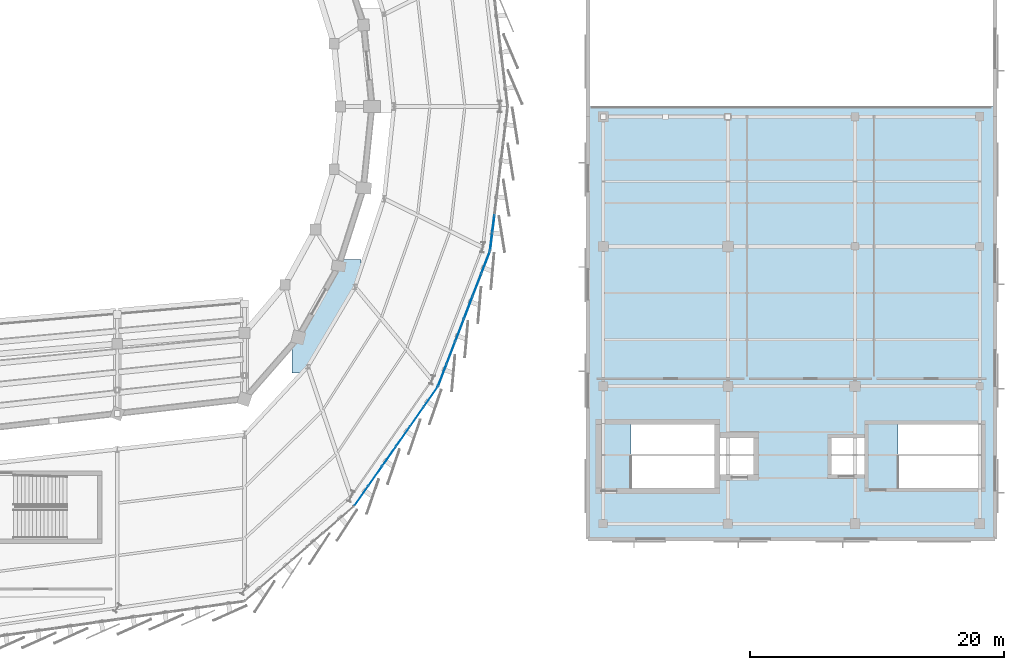
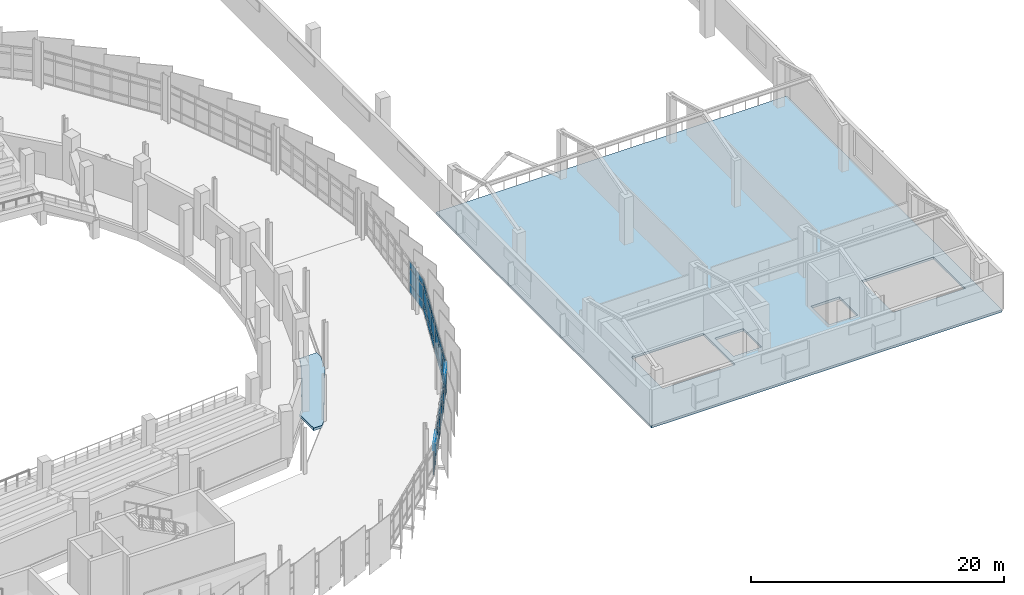
# One storey, part 89 of 120: 42 plates, 2 slabs, 3 elements without a shape of their own.
"""IFC4 building model written with IfcOpenShell, lengths in metres."""

from ifc_helpers import new_model, si_unit, direction, frame, origin, origin_2d, place, context, subcontext, project, spatial, polyline, rectangle, outline, extrude, material, layer, layer_set, type_object, element, aggregate, save


model = new_model("IFC4")

# Units and contexts
model_context = context("Model", 3, precision=1e-05, world=origin(), true_north=direction((0.0, 1.0)))
body_context = subcontext(model_context, "Body", "Model", "MODEL_VIEW")
ifc_project = project(units=[si_unit("LENGTHUNIT", "METRE"), si_unit("AREAUNIT", "SQUARE_METRE"), si_unit("VOLUMEUNIT", "CUBIC_METRE"), si_unit("PLANEANGLEUNIT", "RADIAN"), si_unit("MASSUNIT", "GRAM", prefix="KILO")], contexts=[model_context])

# Site, building, storey
site_placement = place(None, origin())
site = spatial("IfcSite", under=ifc_project, at=site_placement, CompositionType="ELEMENT")
building_placement = place(site_placement, origin())
building = spatial("IfcBuilding", under=site, at=building_placement, Name="Sohan Crest Arena", CompositionType="ELEMENT")
storey_placement = place(building_placement, frame((0.0, 0.0, 13.5)))
storey = spatial("IfcBuildingStorey", under=building, at=storey_placement, Name="L03", CompositionType="ELEMENT", Elevation=13.5)

# Curtain wall, plates
ifc_material_1 = material(Name="Thermally broken anodised aluminium", Category="aluminium")
ifc_layer_1 = layer(ifc_material_1, 0.219970703125, Name="Thermally broken anodised aluminium")
ifc_layer_set_1 = layer_set([ifc_layer_1], Name="Thermally broken anodised aluminium")
curtain_wall_type_1 = type_object("IfcCurtainWallType", Name="ARC-CW03", PredefinedType="NOTDEFINED", material=ifc_layer_set_1)
curtain_wall_1_placement = place(storey_placement, origin())
curtain_wall_1 = element("IfcCurtainWall", 1, at=curtain_wall_1_placement, inside=storey, type_object=curtain_wall_type_1, Name="Unitised curtain wall CW-098", PredefinedType="NOTDEFINED")
ifc_material_2 = material(Name="Low-E double-glazed insulated glass", Category="glass")
ifc_layer_2 = layer(ifc_material_2, 0.028076171875, Name="Low-E double-glazed insulated glass")
ifc_layer_set_2 = layer_set([ifc_layer_2], Name="Low-E double-glazed insulated glass")
plate_type_1 = type_object("IfcPlateType", Name="ARC-CNP01", PredefinedType="CURTAIN_PANEL", material=ifc_layer_set_2)
plate_1_placement = place(storey_placement, frame((177.193603515625, 47.392822265625, 0.070068359375), z_axis=(0.0, 0.0, 1.0), x_axis=(0.573937504976, 0.818899102687, 0.0)))
plate_1 = element("IfcPlate", 2, at=plate_1_placement, type_object=plate_type_1, Name="CW-098 panel 1.1", PredefinedType="CURTAIN_PANEL", context=body_context, shape_type="SweptSolid", body=[
    extrude(rectangle(XDim=1.81640625, YDim=0.028076171875, at=origin_2d()), origin(), (0.0, 0.0, 1.0), 0.794921875),
])
plate_2_placement = place(storey_placement, frame((177.193603515625, 47.392822265625, 0.93505859375), z_axis=(0.0, 0.0, 1.0), x_axis=(0.573937504976, 0.818899102687, 0.0)))
plate_2 = element("IfcPlate", 3, at=plate_2_placement, type_object=plate_type_1, Name="CW-098 panel 1.2", PredefinedType="CURTAIN_PANEL", context=body_context, shape_type="SweptSolid", body=[
    extrude(rectangle(XDim=1.81640625, YDim=0.028076171875, at=origin_2d()), origin(), (0.0, 0.0, 1.0), 1.449951171875),
])
plate_3_placement = place(storey_placement, frame((177.193603515625, 47.392822265625, 2.455078125), z_axis=(0.0, 0.0, 1.0), x_axis=(0.573937504976, 0.818899102687, 0.0)))
plate_3 = element("IfcPlate", 4, at=plate_3_placement, type_object=plate_type_1, Name="CW-098 panel 1.3", PredefinedType="CURTAIN_PANEL", context=body_context, shape_type="SweptSolid", body=[
    extrude(rectangle(XDim=1.81640625, YDim=0.028076171875, at=origin_2d()), origin(), (0.0, 0.0, 1.0), 0.594970703125),
])
plate_4_placement = place(storey_placement, frame((178.279296875, 48.941650390625, 0.070068359375), z_axis=(0.0, 0.0, 1.0), x_axis=(0.573937504976, 0.818899102687, 0.0)))
plate_4 = element("IfcPlate", 5, at=plate_4_placement, type_object=plate_type_1, Name="CW-098 panel 2.1", PredefinedType="CURTAIN_PANEL", context=body_context, shape_type="SweptSolid", body=[
    extrude(rectangle(XDim=1.846435546875, YDim=0.028076171875, at=origin_2d()), origin(), (0.0, 0.0, 1.0), 0.794921875),
])
plate_5_placement = place(storey_placement, frame((178.279296875, 48.941650390625, 0.93505859375), z_axis=(0.0, 0.0, 1.0), x_axis=(0.573937504976, 0.818899102687, 0.0)))
plate_5 = element("IfcPlate", 6, at=plate_5_placement, type_object=plate_type_1, Name="CW-098 panel 2.2", PredefinedType="CURTAIN_PANEL", context=body_context, shape_type="SweptSolid", body=[
    extrude(rectangle(XDim=1.846435546875, YDim=0.028076171875, at=origin_2d()), origin(), (0.0, 0.0, 1.0), 1.449951171875),
])
plate_6_placement = place(storey_placement, frame((178.279296875, 48.941650390625, 2.455078125), z_axis=(0.0, 0.0, 1.0), x_axis=(0.573937504976, 0.818899102687, 0.0)))
plate_6 = element("IfcPlate", 7, at=plate_6_placement, type_object=plate_type_1, Name="CW-098 panel 2.3", PredefinedType="CURTAIN_PANEL", context=body_context, shape_type="SweptSolid", body=[
    extrude(rectangle(XDim=1.846435546875, YDim=0.028076171875, at=origin_2d()), origin(), (0.0, 0.0, 1.0), 0.594970703125),
])
plate_7_placement = place(storey_placement, frame((179.37353515625, 50.5029296875, 0.070068359375), z_axis=(0.0, 0.0, 1.0), x_axis=(0.573937504976, 0.818899102687, 0.0)))
plate_7 = element("IfcPlate", 8, at=plate_7_placement, type_object=plate_type_1, Name="CW-098 panel 3.1", PredefinedType="CURTAIN_PANEL", context=body_context, shape_type="SweptSolid", body=[
    extrude(rectangle(XDim=1.846435546875, YDim=0.028076171875, at=origin_2d()), origin(), (0.0, 0.0, 1.0), 0.794921875),
])
plate_8_placement = place(storey_placement, frame((179.37353515625, 50.5029296875, 0.93505859375), z_axis=(0.0, 0.0, 1.0), x_axis=(0.573937504976, 0.818899102687, 0.0)))
plate_8 = element("IfcPlate", 9, at=plate_8_placement, type_object=plate_type_1, Name="CW-098 panel 3.2", PredefinedType="CURTAIN_PANEL", context=body_context, shape_type="SweptSolid", body=[
    extrude(rectangle(XDim=1.846435546875, YDim=0.028076171875, at=origin_2d()), origin(), (0.0, 0.0, 1.0), 1.449951171875),
])
plate_9_placement = place(storey_placement, frame((179.37353515625, 50.5029296875, 2.455078125), z_axis=(0.0, 0.0, 1.0), x_axis=(0.573937504976, 0.818899102687, 0.0)))
plate_9 = element("IfcPlate", 10, at=plate_9_placement, type_object=plate_type_1, Name="CW-098 panel 3.3", PredefinedType="CURTAIN_PANEL", context=body_context, shape_type="SweptSolid", body=[
    extrude(rectangle(XDim=1.846435546875, YDim=0.028076171875, at=origin_2d()), origin(), (0.0, 0.0, 1.0), 0.594970703125),
])
plate_10_placement = place(storey_placement, frame((180.467529296875, 52.06396484375, 0.070068359375), z_axis=(0.0, 0.0, 1.0), x_axis=(0.573937504976, 0.818899102687, 0.0)))
plate_10 = element("IfcPlate", 11, at=plate_10_placement, type_object=plate_type_1, Name="CW-098 panel 4.1", PredefinedType="CURTAIN_PANEL", context=body_context, shape_type="SweptSolid", body=[
    extrude(rectangle(XDim=1.846435546875, YDim=0.028076171875, at=origin_2d()), origin(), (0.0, 0.0, 1.0), 0.794921875),
])
plate_11_placement = place(storey_placement, frame((180.467529296875, 52.06396484375, 0.93505859375), z_axis=(0.0, 0.0, 1.0), x_axis=(0.573937504976, 0.818899102687, 0.0)))
plate_11 = element("IfcPlate", 12, at=plate_11_placement, type_object=plate_type_1, Name="CW-098 panel 4.2", PredefinedType="CURTAIN_PANEL", context=body_context, shape_type="SweptSolid", body=[
    extrude(rectangle(XDim=1.846435546875, YDim=0.028076171875, at=origin_2d()), origin(), (0.0, 0.0, 1.0), 1.449951171875),
])
plate_12_placement = place(storey_placement, frame((180.467529296875, 52.06396484375, 2.455078125), z_axis=(0.0, 0.0, 1.0), x_axis=(0.573937504976, 0.818899102687, 0.0)))
plate_12 = element("IfcPlate", 13, at=plate_12_placement, type_object=plate_type_1, Name="CW-098 panel 4.3", PredefinedType="CURTAIN_PANEL", context=body_context, shape_type="SweptSolid", body=[
    extrude(rectangle(XDim=1.846435546875, YDim=0.028076171875, at=origin_2d()), origin(), (0.0, 0.0, 1.0), 0.594970703125),
])
plate_13_placement = place(storey_placement, frame((181.561767578125, 53.625244140625, 0.070068359375), z_axis=(0.0, 0.0, 1.0), x_axis=(0.573937504976, 0.818899102687, 0.0)))
plate_13 = element("IfcPlate", 14, at=plate_13_placement, type_object=plate_type_1, Name="CW-098 panel 5.1", PredefinedType="CURTAIN_PANEL", context=body_context, shape_type="SweptSolid", body=[
    extrude(rectangle(XDim=1.846435546875, YDim=0.028076171875, at=origin_2d()), origin(), (0.0, 0.0, 1.0), 0.794921875),
])
plate_14_placement = place(storey_placement, frame((181.561767578125, 53.625244140625, 0.93505859375), z_axis=(0.0, 0.0, 1.0), x_axis=(0.573937504976, 0.818899102687, 0.0)))
plate_14 = element("IfcPlate", 15, at=plate_14_placement, type_object=plate_type_1, Name="CW-098 panel 5.2", PredefinedType="CURTAIN_PANEL", context=body_context, shape_type="SweptSolid", body=[
    extrude(rectangle(XDim=1.846435546875, YDim=0.028076171875, at=origin_2d()), origin(), (0.0, 0.0, 1.0), 1.449951171875),
])
plate_15_placement = place(storey_placement, frame((181.561767578125, 53.625244140625, 2.455078125), z_axis=(0.0, 0.0, 1.0), x_axis=(0.573937504976, 0.818899102687, 0.0)))
plate_15 = element("IfcPlate", 16, at=plate_15_placement, type_object=plate_type_1, Name="CW-098 panel 5.3", PredefinedType="CURTAIN_PANEL", context=body_context, shape_type="SweptSolid", body=[
    extrude(rectangle(XDim=1.846435546875, YDim=0.028076171875, at=origin_2d()), origin(), (0.0, 0.0, 1.0), 0.594970703125),
])
plate_16_placement = place(storey_placement, frame((182.647216796875, 55.174072265625, 0.070068359375), z_axis=(0.0, 0.0, 1.0), x_axis=(0.573937504976, 0.818899102687, 0.0)))
plate_16 = element("IfcPlate", 17, at=plate_16_placement, type_object=plate_type_1, Name="CW-098 panel 6.1", PredefinedType="CURTAIN_PANEL", context=body_context, shape_type="SweptSolid", body=[
    extrude(rectangle(XDim=1.81640625, YDim=0.028076171875, at=origin_2d()), origin(), (0.0, 0.0, 1.0), 0.794921875),
])
plate_17_placement = place(storey_placement, frame((182.647216796875, 55.174072265625, 0.93505859375), z_axis=(0.0, 0.0, 1.0), x_axis=(0.573937504976, 0.818899102687, 0.0)))
plate_17 = element("IfcPlate", 18, at=plate_17_placement, type_object=plate_type_1, Name="CW-098 panel 6.2", PredefinedType="CURTAIN_PANEL", context=body_context, shape_type="SweptSolid", body=[
    extrude(rectangle(XDim=1.81640625, YDim=0.028076171875, at=origin_2d()), origin(), (0.0, 0.0, 1.0), 1.449951171875),
])
plate_18_placement = place(storey_placement, frame((182.647216796875, 55.174072265625, 2.455078125), z_axis=(0.0, 0.0, 1.0), x_axis=(0.573937504976, 0.818899102687, 0.0)))
plate_18 = element("IfcPlate", 19, at=plate_18_placement, type_object=plate_type_1, Name="CW-098 panel 6.3", PredefinedType="CURTAIN_PANEL", context=body_context, shape_type="SweptSolid", body=[
    extrude(rectangle(XDim=1.81640625, YDim=0.028076171875, at=origin_2d()), origin(), (0.0, 0.0, 1.0), 0.594970703125),
])
aggregate(curtain_wall_1, [plate_1, plate_2, plate_3, plate_4, plate_5, plate_6, plate_7, plate_8, plate_9, plate_10, plate_11, plate_12, plate_13, plate_14, plate_15, plate_16, plate_17, plate_18])

ifc_layer_3 = layer(ifc_material_1, 0.239990234375, Name="Thermally broken anodised aluminium")
ifc_layer_set_3 = layer_set([ifc_layer_3], Name="Thermally broken anodised aluminium")
curtain_wall_type_2 = type_object("IfcCurtainWallType", Name="ARC-CW04", PredefinedType="NOTDEFINED", material=ifc_layer_set_3)
curtain_wall_2_placement = place(storey_placement, origin())
curtain_wall_2 = element("IfcCurtainWall", 20, at=curtain_wall_2_placement, inside=storey, type_object=curtain_wall_type_2, Name="Unitised curtain wall CW-099", PredefinedType="NOTDEFINED")
ifc_layer_4 = layer(ifc_material_2, 0.031982421875, Name="Low-E double-glazed insulated glass")
ifc_layer_set_4 = layer_set([ifc_layer_4], Name="Low-E double-glazed insulated glass")
plate_type_2 = type_object("IfcPlateType", Name="ARC-CNP02", PredefinedType="CURTAIN_PANEL", material=ifc_layer_set_4)
plate_19_placement = place(storey_placement, frame((183.55078125, 56.8720703125, 0.06005859375), z_axis=(0.0, 0.0, 1.0), x_axis=(0.35865103722, 0.93347171007, 0.0)))
plate_19 = element("IfcPlate", 21, at=plate_19_placement, type_object=plate_type_2, Name="CW-099 panel 1.1", PredefinedType="CURTAIN_PANEL", context=body_context, shape_type="SweptSolid", body=[
    extrude(rectangle(XDim=1.80908203125, YDim=0.031982421875, at=origin_2d()), origin(), (0.0, 0.0, 1.0), 0.81005859375),
])
plate_20_placement = place(storey_placement, frame((183.55078125, 56.8720703125, 0.929931640625), z_axis=(0.0, 0.0, 1.0), x_axis=(0.35865103722, 0.93347171007, 0.0)))
plate_20 = element("IfcPlate", 22, at=plate_20_placement, type_object=plate_type_2, Name="CW-099 panel 1.2", PredefinedType="CURTAIN_PANEL", context=body_context, shape_type="SweptSolid", body=[
    extrude(rectangle(XDim=1.80908203125, YDim=0.031982421875, at=origin_2d()), origin(), (0.0, 0.0, 1.0), 1.4599609375),
])
plate_21_placement = place(storey_placement, frame((183.55078125, 56.8720703125, 2.44970703125), z_axis=(0.0, 0.0, 1.0), x_axis=(0.35865103722, 0.93347171007, 0.0)))
plate_21 = element("IfcPlate", 23, at=plate_21_placement, type_object=plate_type_2, Name="CW-099 panel 1.3", PredefinedType="CURTAIN_PANEL", context=body_context, shape_type="SweptSolid", body=[
    extrude(rectangle(XDim=1.80908203125, YDim=0.031982421875, at=origin_2d()), origin(), (0.0, 0.0, 1.0), 0.610107421875),
])
plate_22_placement = place(storey_placement, frame((184.228759765625, 58.63671875, 0.06005859375), z_axis=(0.0, 0.0, 1.0), x_axis=(0.35865103722, 0.93347171007, 0.0)))
plate_22 = element("IfcPlate", 24, at=plate_22_placement, type_object=plate_type_2, Name="CW-099 panel 2.1", PredefinedType="CURTAIN_PANEL", context=body_context, shape_type="SweptSolid", body=[
    extrude(rectangle(XDim=1.841796875, YDim=0.031982421875, at=origin_2d()), origin(), (0.0, 0.0, 1.0), 0.81005859375),
])
plate_23_placement = place(storey_placement, frame((184.228759765625, 58.63671875, 0.929931640625), z_axis=(0.0, 0.0, 1.0), x_axis=(0.35865103722, 0.93347171007, 0.0)))
plate_23 = element("IfcPlate", 25, at=plate_23_placement, type_object=plate_type_2, Name="CW-099 panel 2.2", PredefinedType="CURTAIN_PANEL", context=body_context, shape_type="SweptSolid", body=[
    extrude(rectangle(XDim=1.841796875, YDim=0.031982421875, at=origin_2d()), origin(), (0.0, 0.0, 1.0), 1.4599609375),
])
plate_24_placement = place(storey_placement, frame((184.228759765625, 58.63671875, 2.44970703125), z_axis=(0.0, 0.0, 1.0), x_axis=(0.35865103722, 0.93347171007, 0.0)))
plate_24 = element("IfcPlate", 26, at=plate_24_placement, type_object=plate_type_2, Name="CW-099 panel 2.3", PredefinedType="CURTAIN_PANEL", context=body_context, shape_type="SweptSolid", body=[
    extrude(rectangle(XDim=1.841796875, YDim=0.031982421875, at=origin_2d()), origin(), (0.0, 0.0, 1.0), 0.610107421875),
])
plate_25_placement = place(storey_placement, frame((184.91259765625, 60.41650390625, 0.06005859375), z_axis=(0.0, 0.0, 1.0), x_axis=(0.35865103722, 0.93347171007, 0.0)))
plate_25 = element("IfcPlate", 27, at=plate_25_placement, type_object=plate_type_2, Name="CW-099 panel 3.1", PredefinedType="CURTAIN_PANEL", context=body_context, shape_type="SweptSolid", body=[
    extrude(rectangle(XDim=1.841796875, YDim=0.031982421875, at=origin_2d()), origin(), (0.0, 0.0, 1.0), 0.81005859375),
])
plate_26_placement = place(storey_placement, frame((184.91259765625, 60.41650390625, 0.929931640625), z_axis=(0.0, 0.0, 1.0), x_axis=(0.35865103722, 0.93347171007, 0.0)))
plate_26 = element("IfcPlate", 28, at=plate_26_placement, type_object=plate_type_2, Name="CW-099 panel 3.2", PredefinedType="CURTAIN_PANEL", context=body_context, shape_type="SweptSolid", body=[
    extrude(rectangle(XDim=1.841796875, YDim=0.031982421875, at=origin_2d()), origin(), (0.0, 0.0, 1.0), 1.4599609375),
])
plate_27_placement = place(storey_placement, frame((184.91259765625, 60.41650390625, 2.44970703125), z_axis=(0.0, 0.0, 1.0), x_axis=(0.35865103722, 0.93347171007, 0.0)))
plate_27 = element("IfcPlate", 29, at=plate_27_placement, type_object=plate_type_2, Name="CW-099 panel 3.3", PredefinedType="CURTAIN_PANEL", context=body_context, shape_type="SweptSolid", body=[
    extrude(rectangle(XDim=1.841796875, YDim=0.031982421875, at=origin_2d()), origin(), (0.0, 0.0, 1.0), 0.610107421875),
])
plate_28_placement = place(storey_placement, frame((185.596435546875, 62.196533203125, 0.06005859375), z_axis=(0.0, 0.0, 1.0), x_axis=(0.35865103722, 0.93347171007, 0.0)))
plate_28 = element("IfcPlate", 30, at=plate_28_placement, type_object=plate_type_2, Name="CW-099 panel 4.1", PredefinedType="CURTAIN_PANEL", context=body_context, shape_type="SweptSolid", body=[
    extrude(rectangle(XDim=1.841796875, YDim=0.031982421875, at=origin_2d()), origin(), (0.0, 0.0, 1.0), 0.81005859375),
])
plate_29_placement = place(storey_placement, frame((185.596435546875, 62.196533203125, 0.929931640625), z_axis=(0.0, 0.0, 1.0), x_axis=(0.35865103722, 0.93347171007, 0.0)))
plate_29 = element("IfcPlate", 31, at=plate_29_placement, type_object=plate_type_2, Name="CW-099 panel 4.2", PredefinedType="CURTAIN_PANEL", context=body_context, shape_type="SweptSolid", body=[
    extrude(rectangle(XDim=1.841796875, YDim=0.031982421875, at=origin_2d()), origin(), (0.0, 0.0, 1.0), 1.4599609375),
])
plate_30_placement = place(storey_placement, frame((185.596435546875, 62.196533203125, 2.44970703125), z_axis=(0.0, 0.0, 1.0), x_axis=(0.35865103722, 0.93347171007, 0.0)))
plate_30 = element("IfcPlate", 32, at=plate_30_placement, type_object=plate_type_2, Name="CW-099 panel 4.3", PredefinedType="CURTAIN_PANEL", context=body_context, shape_type="SweptSolid", body=[
    extrude(rectangle(XDim=1.841796875, YDim=0.031982421875, at=origin_2d()), origin(), (0.0, 0.0, 1.0), 0.610107421875),
])
plate_31_placement = place(storey_placement, frame((186.2802734375, 63.976318359375, 0.06005859375), z_axis=(0.0, 0.0, 1.0), x_axis=(0.35865103722, 0.93347171007, 0.0)))
plate_31 = element("IfcPlate", 33, at=plate_31_placement, type_object=plate_type_2, Name="CW-099 panel 5.1", PredefinedType="CURTAIN_PANEL", context=body_context, shape_type="SweptSolid", body=[
    extrude(rectangle(XDim=1.841796875, YDim=0.031982421875, at=origin_2d()), origin(), (0.0, 0.0, 1.0), 0.81005859375),
])
plate_32_placement = place(storey_placement, frame((186.2802734375, 63.976318359375, 0.929931640625), z_axis=(0.0, 0.0, 1.0), x_axis=(0.35865103722, 0.93347171007, 0.0)))
plate_32 = element("IfcPlate", 34, at=plate_32_placement, type_object=plate_type_2, Name="CW-099 panel 5.2", PredefinedType="CURTAIN_PANEL", context=body_context, shape_type="SweptSolid", body=[
    extrude(rectangle(XDim=1.841796875, YDim=0.031982421875, at=origin_2d()), origin(), (0.0, 0.0, 1.0), 1.4599609375),
])
plate_33_placement = place(storey_placement, frame((186.2802734375, 63.976318359375, 2.44970703125), z_axis=(0.0, 0.0, 1.0), x_axis=(0.35865103722, 0.93347171007, 0.0)))
plate_33 = element("IfcPlate", 35, at=plate_33_placement, type_object=plate_type_2, Name="CW-099 panel 5.3", PredefinedType="CURTAIN_PANEL", context=body_context, shape_type="SweptSolid", body=[
    extrude(rectangle(XDim=1.841796875, YDim=0.031982421875, at=origin_2d()), origin(), (0.0, 0.0, 1.0), 0.610107421875),
])
plate_34_placement = place(storey_placement, frame((186.958251953125, 65.740966796875, 0.06005859375), z_axis=(0.0, 0.0, 1.0), x_axis=(0.35865103722, 0.93347171007, 0.0)))
plate_34 = element("IfcPlate", 36, at=plate_34_placement, type_object=plate_type_2, Name="CW-099 panel 6.1", PredefinedType="CURTAIN_PANEL", context=body_context, shape_type="SweptSolid", body=[
    extrude(rectangle(XDim=1.80908203125, YDim=0.031982421875, at=origin_2d()), origin(), (0.0, 0.0, 1.0), 0.81005859375),
])
plate_35_placement = place(storey_placement, frame((186.958251953125, 65.740966796875, 0.929931640625), z_axis=(0.0, 0.0, 1.0), x_axis=(0.35865103722, 0.93347171007, 0.0)))
plate_35 = element("IfcPlate", 37, at=plate_35_placement, type_object=plate_type_2, Name="CW-099 panel 6.2", PredefinedType="CURTAIN_PANEL", context=body_context, shape_type="SweptSolid", body=[
    extrude(rectangle(XDim=1.80908203125, YDim=0.031982421875, at=origin_2d()), origin(), (0.0, 0.0, 1.0), 1.4599609375),
])
plate_36_placement = place(storey_placement, frame((186.958251953125, 65.740966796875, 2.44970703125), z_axis=(0.0, 0.0, 1.0), x_axis=(0.35865103722, 0.93347171007, 0.0)))
plate_36 = element("IfcPlate", 38, at=plate_36_placement, type_object=plate_type_2, Name="CW-099 panel 6.3", PredefinedType="CURTAIN_PANEL", context=body_context, shape_type="SweptSolid", body=[
    extrude(rectangle(XDim=1.80908203125, YDim=0.031982421875, at=origin_2d()), origin(), (0.0, 0.0, 1.0), 0.610107421875),
])
aggregate(curtain_wall_2, [plate_19, plate_20, plate_21, plate_22, plate_23, plate_24, plate_25, plate_26, plate_27, plate_28, plate_29, plate_30, plate_31, plate_32, plate_33, plate_34, plate_35, plate_36])

ifc_layer_5 = layer(ifc_material_1, 0.18994140625, Name="Thermally broken anodised aluminium")
ifc_layer_set_5 = layer_set([ifc_layer_5], Name="Thermally broken anodised aluminium")
curtain_wall_type_3 = type_object("IfcCurtainWallType", Name="ARC-CW05", PredefinedType="NOTDEFINED", material=ifc_layer_set_5)
curtain_wall_3_placement = place(storey_placement, origin())
curtain_wall_3 = element("IfcCurtainWall", 39, at=curtain_wall_3_placement, inside=storey, type_object=curtain_wall_type_3, Name="Unitised curtain wall CW-100", PredefinedType="NOTDEFINED")
ifc_material_3 = material(Name="Ceramic-fritted solar-control insulated glass", Category="glass")
ifc_layer_6 = layer(ifc_material_3, 0.035888671875, Name="Ceramic-fritted solar-control insulated glass")
ifc_layer_set_6 = layer_set([ifc_layer_6], Name="Ceramic-fritted solar-control insulated glass")
plate_type_3 = type_object("IfcPlateType", Name="ARC-CNP03", PredefinedType="CURTAIN_PANEL", material=ifc_layer_set_6)
plate_37_placement = place(storey_placement, frame((187.395263671875, 67.373046875, 0.06494140625), z_axis=(0.0, 0.0, 1.0), x_axis=(0.121947202838, 0.992536588605, 0.0)))
plate_37 = element("IfcPlate", 40, at=plate_37_placement, type_object=plate_type_3, Name="CW-100 panel 1.1", PredefinedType="CURTAIN_PANEL", context=body_context, shape_type="SweptSolid", body=[
    extrude(rectangle(XDim=1.324951171875, YDim=0.035888671875, at=origin_2d()), origin(), (0.0, 0.0, 1.0), 0.802490234375),
])
plate_38_placement = place(storey_placement, frame((187.395263671875, 67.373046875, 0.932373046875), z_axis=(0.0, 0.0, 1.0), x_axis=(0.121947202838, 0.992536588605, 0.0)))
plate_38 = element("IfcPlate", 41, at=plate_38_placement, type_object=plate_type_3, Name="CW-100 panel 1.2", PredefinedType="CURTAIN_PANEL", context=body_context, shape_type="SweptSolid", body=[
    extrude(rectangle(XDim=1.324951171875, YDim=0.035888671875, at=origin_2d()), origin(), (0.0, 0.0, 1.0), 1.455078125),
])
plate_39_placement = place(storey_placement, frame((187.395263671875, 67.373046875, 2.452392578125), z_axis=(0.0, 0.0, 1.0), x_axis=(0.121947202838, 0.992536588605, 0.0)))
plate_39 = element("IfcPlate", 42, at=plate_39_placement, type_object=plate_type_3, Name="CW-100 panel 1.3", PredefinedType="CURTAIN_PANEL", context=body_context, shape_type="SweptSolid", body=[
    extrude(rectangle(XDim=1.324951171875, YDim=0.035888671875, at=origin_2d()), origin(), (0.0, 0.0, 1.0), 0.6025390625),
])
plate_40_placement = place(storey_placement, frame((187.567626953125, 68.77490234375, 0.06494140625), z_axis=(0.0, 0.0, 1.0), x_axis=(0.121947202838, 0.992536588605, 0.0)))
plate_40 = element("IfcPlate", 43, at=plate_40_placement, type_object=plate_type_3, Name="CW-100 panel 2.1", PredefinedType="CURTAIN_PANEL", context=body_context, shape_type="SweptSolid", body=[
    extrude(rectangle(XDim=1.35986328125, YDim=0.035888671875, at=origin_2d()), origin(), (0.0, 0.0, 1.0), 0.802490234375),
])
plate_41_placement = place(storey_placement, frame((187.567626953125, 68.77490234375, 0.932373046875), z_axis=(0.0, 0.0, 1.0), x_axis=(0.121947202838, 0.992536588605, 0.0)))
plate_41 = element("IfcPlate", 44, at=plate_41_placement, type_object=plate_type_3, Name="CW-100 panel 2.2", PredefinedType="CURTAIN_PANEL", context=body_context, shape_type="SweptSolid", body=[
    extrude(rectangle(XDim=1.35986328125, YDim=0.035888671875, at=origin_2d()), origin(), (0.0, 0.0, 1.0), 1.455078125),
])
plate_42_placement = place(storey_placement, frame((187.567626953125, 68.77490234375, 2.452392578125), z_axis=(0.0, 0.0, 1.0), x_axis=(0.121947202838, 0.992536588605, 0.0)))
plate_42 = element("IfcPlate", 45, at=plate_42_placement, type_object=plate_type_3, Name="CW-100 panel 2.3", PredefinedType="CURTAIN_PANEL", context=body_context, shape_type="SweptSolid", body=[
    extrude(rectangle(XDim=1.35986328125, YDim=0.035888671875, at=origin_2d()), origin(), (0.0, 0.0, 1.0), 0.6025390625),
])
aggregate(curtain_wall_3, [plate_37, plate_38, plate_39, plate_40, plate_41, plate_42])

# Slabs
ifc_material_4 = material(Name="Concrete C40/50", Category="concrete")
ifc_layer_7 = layer(ifc_material_4, 0.22998046875, Name="Concrete C40/50")
ifc_layer_set_7 = layer_set([ifc_layer_7], Name="Concrete C40/50")
slab_type_1 = type_object("IfcSlabType", Name="SL-FLR2", PredefinedType="FLOOR", material=ifc_layer_set_7)
slab_1_placement = place(storey_placement, frame((0.0, 0.0, -0.22998046875)))
element("IfcSlab", 46, at=slab_1_placement, inside=storey, type_object=slab_type_1, Name="Community sports wing L03 slab SL-L03-V4", PredefinedType="FLOOR", context=body_context, shape_type="SweptSolid", body=[
    extrude(outline(polyline([(195.0, 44.0), (195.0, 78.0), (227.0, 78.0), (227.0, 44.0), (195.0, 44.0)]), holes=[polyline([(204.949951171875, 48.0), (204.949951171875, 53.0), (198.3701171875, 53.0), (198.3701171875, 48.0), (204.949951171875, 48.0)]), polyline([(205.39990234375, 49.050048828125), (208.0, 49.050048828125), (208.0, 51.949951171875), (205.39990234375, 51.949951171875), (205.39990234375, 49.050048828125)]), polyline([(219.3701171875, 53.0), (219.3701171875, 48.0), (225.949951171875, 48.0), (225.949951171875, 53.0), (219.3701171875, 53.0)]), polyline([(216.75, 51.949951171875), (214.14990234375, 51.949951171875), (214.14990234375, 49.050048828125), (216.75, 49.050048828125), (216.75, 51.949951171875)])]), origin(), (0.0, 0.0, 1.0), 0.22998046875),
])
ifc_layer_8 = layer(ifc_material_4, 0.25, Name="Concrete C40/50")
ifc_layer_set_8 = layer_set([ifc_layer_8], Name="Concrete C40/50")
slab_type_2 = type_object("IfcSlabType", Name="SL-FLR3", PredefinedType="FLOOR", material=ifc_layer_set_8)
slab_2_placement = place(storey_placement, frame((0.0, 0.0, -0.25)))
element("IfcSlab", 47, at=slab_2_placement, inside=storey, type_object=slab_type_2, Name="Seismic joint threshold slab L03 SL-TH-L03-20", PredefinedType="FLOOR", context=body_context, shape_type="SweptSolid", body=[
    extrude(outline(polyline([(176.674072265625, 63.824951171875), (172.9609375, 57.547119140625), (172.4970703125, 57.047119140625), (171.742919921875, 57.047119140625), (171.742919921875, 59.27490234375), (172.242919921875, 59.845947265625), (175.408935546875, 65.455078125), (175.568115234375, 65.955078125), (177.174072265625, 65.955078125), (177.174072265625, 65.3310546875), (176.674072265625, 63.824951171875)])), origin(), (0.0, 0.0, 1.0), 0.25),
])

save(model, "model.ifc")
